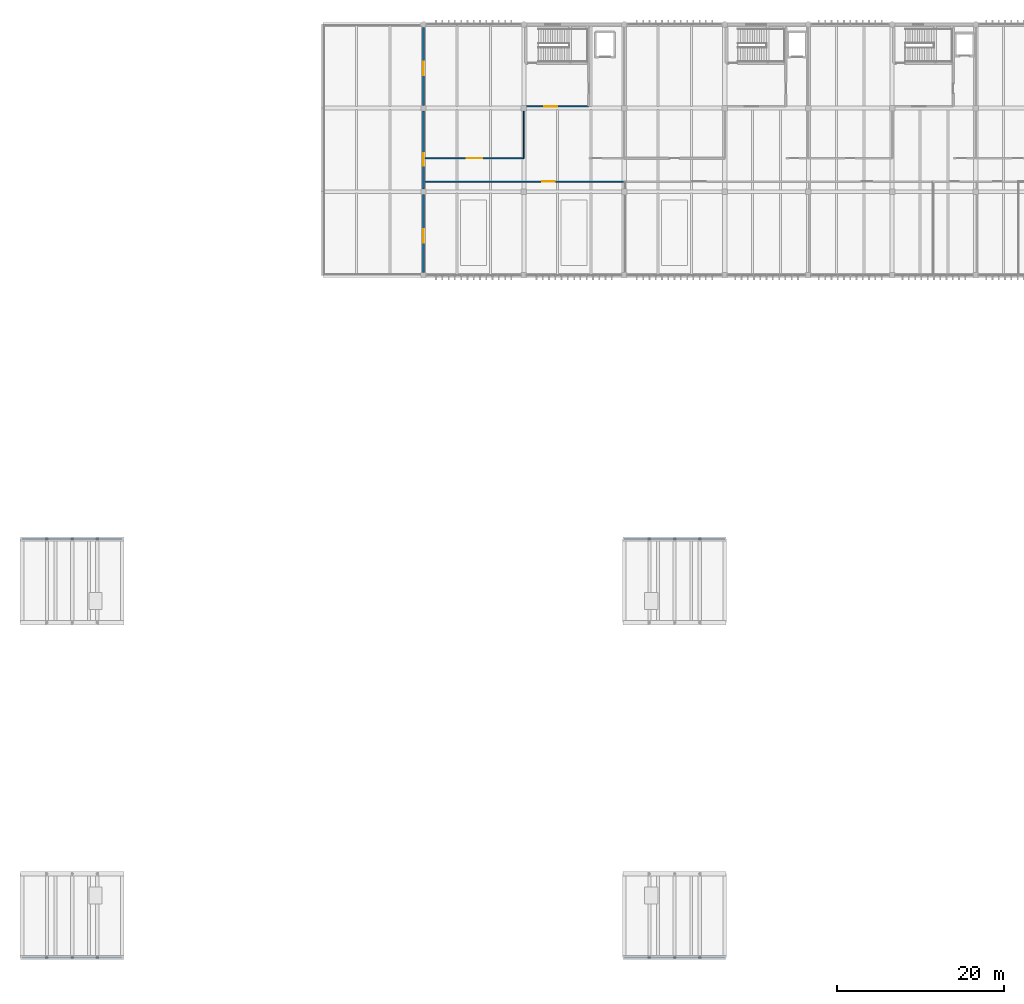
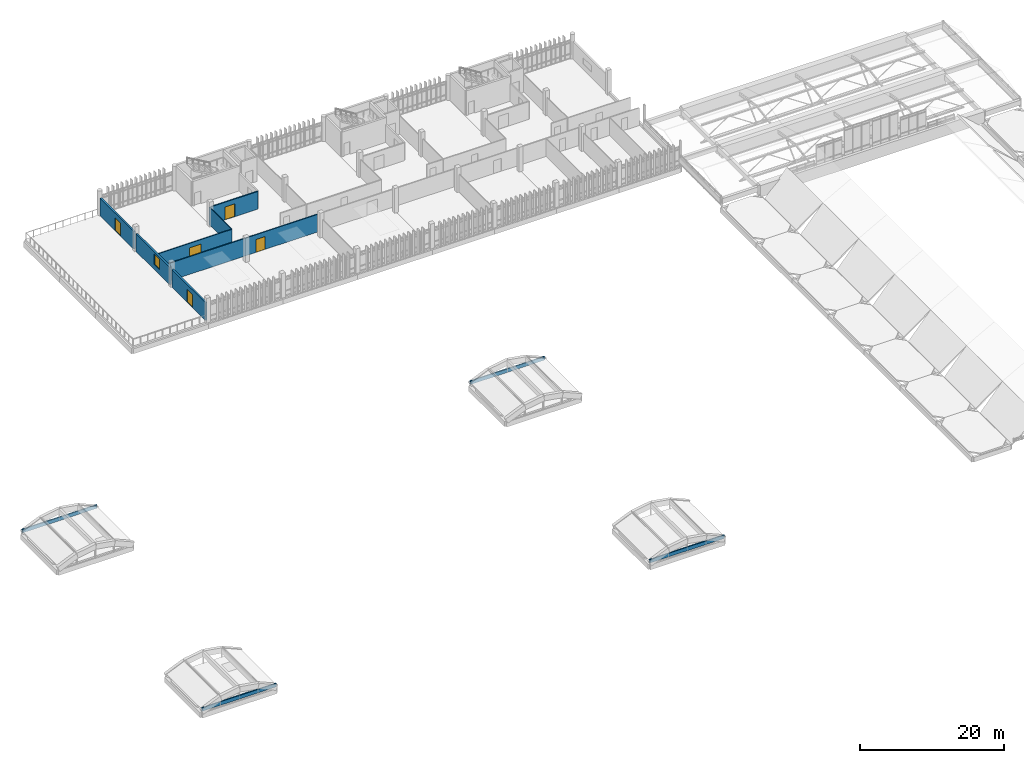
# One storey, part 77 of 82: 11 walls, 5 doors, 1 window, 6 openings.
"""IFC4 building model written with IfcOpenShell, lengths in metres."""

import ifcopenshell
import ifcopenshell.guid

model = None  # the IFC model being written
_history = None  # IfcOwnerHistory: only IFC2X3 demands one
_inside = {}  # id of a spatial element -> (the spatial element, [elements in it])
_under = {}  # id of a project, library or spatial element -> (it, [spatial elements below it])
_declared = {}  # id of a project -> (the project, [libraries it declares])
_typed = {}  # id of a type object -> (the type object, [elements of that type])
_made_of = {}  # id of a material, layer set ... -> (it, [elements and type objects made of it])


def new_model(schema):
    """Start an empty IFC model of exactly this schema.

    Asked for "IFC4X3", IfcOpenShell would pick the latest addendum, in which some entities
    have other attributes; the version numbers below select the first issue.
    IFC2X3 requires an IfcOwnerHistory on every rooted entity: one is made here for all.
    """
    global model, _history
    if schema == "IFC4X3":
        model = ifcopenshell.file(schema_version=(4, 3, 0, 0))
    else:
        model = ifcopenshell.file(schema=schema)
    _inside.clear()
    _under.clear()
    _declared.clear()
    _typed.clear()
    _made_of.clear()
    _history = None
    if model.schema == "IFC2X3":
        org = make("IfcOrganization", Name="unknown")
        user = make(
            "IfcPersonAndOrganization",
            ThePerson=make("IfcPerson", FamilyName="unknown"),
            TheOrganization=org,
        )
        app = make(
            "IfcApplication",
            ApplicationDeveloper=org,
            Version="unknown",
            ApplicationFullName="unknown",
            ApplicationIdentifier="unknown",
        )
        _history = make(
            "IfcOwnerHistory",
            OwningUser=user,
            OwningApplication=app,
            ChangeAction="ADDED",
            CreationDate=0,
        )
    return model


def make(cls, **values):
    """One entity of the class cls with the attributes given. An attribute that is None is left unset."""
    return model.create_entity(
        cls, **{name: value for name, value in values.items() if value is not None}
    )


def rooted(cls, **values):
    """An entity with a GlobalId (a new one), such as an element, a storey or a relation."""
    return make(cls, GlobalId=ifcopenshell.guid.new(), OwnerHistory=_history, **values)


def si_unit(unit_type, name, prefix=None):
    """IfcSIUnit, for example si_unit("LENGTHUNIT", "METRE", prefix="MILLI")."""
    return make("IfcSIUnit", UnitType=unit_type, Prefix=prefix, Name=name)


def assignment(units):
    """IfcUnitAssignment: the units of a project."""
    return None if units is None else make("IfcUnitAssignment", Units=units)


def point(xyz):
    """IfcCartesianPoint."""
    return None if xyz is None else make("IfcCartesianPoint", Coordinates=xyz)


def direction(xyz):
    """IfcDirection."""
    return None if xyz is None else make("IfcDirection", DirectionRatios=xyz)


def frame(location, z_axis=None, x_axis=None):
    """IfcAxis2Placement3D, a coordinate frame: its origin and axes. An axis left out is left unset."""
    return make(
        "IfcAxis2Placement3D",
        Location=point(location),
        Axis=direction(z_axis),
        RefDirection=direction(x_axis),
    )


def frame_2d(location, x_axis=None):
    """IfcAxis2Placement2D, a coordinate frame in the plane: its origin and x axis."""
    return make(
        "IfcAxis2Placement2D", Location=point(location), RefDirection=direction(x_axis)
    )


def origin():
    """The frame at (0, 0, 0) with its axes left unset."""
    return frame((0.0, 0.0, 0.0))


def place(relative_to, where):
    """IfcLocalPlacement: puts the frame where relative to a parent placement (None: the world)."""
    return make(
        "IfcLocalPlacement", PlacementRelTo=relative_to, RelativePlacement=where
    )


def context(
    kind, dimensions, precision=None, world=None, true_north=None, identifier=None
):
    """IfcGeometricRepresentationContext, for example the 3D "Model" context."""
    return make(
        "IfcGeometricRepresentationContext",
        ContextIdentifier=identifier,
        ContextType=kind,
        CoordinateSpaceDimension=dimensions,
        Precision=precision,
        WorldCoordinateSystem=world,
        TrueNorth=true_north,
    )


def subcontext(parent, identifier, kind, view, scale=None):
    """IfcGeometricRepresentationSubContext, for example "Body" below "Model"."""
    return make(
        "IfcGeometricRepresentationSubContext",
        ContextIdentifier=identifier,
        ContextType=kind,
        ParentContext=parent,
        TargetScale=scale,
        TargetView=view,
    )


def project(units=None, contexts=None):
    """IfcProject with its units and contexts."""
    return rooted(
        "IfcProject",
        Name="project",
        RepresentationContexts=contexts,
        UnitsInContext=assignment(units),
    )


def spatial(cls, under=None, at=None, **own):
    """A site, building, storey or space (cls), placed at a placement, below another one or the project."""
    s = rooted(cls, ObjectPlacement=at, **own)
    if under is not None:
        _under.setdefault(under.id(), (under, []))[1].append(s)
    return s


def profile(cls, at=None, kind="AREA", **sizes):
    """A parametric profile (cls). Its sizes go by their IFC names, for example OverallWidth=200.0."""
    return make(cls, ProfileType=kind, Position=at, **sizes)


def rectangle(**sizes):
    """IfcRectangleProfileDef."""
    return profile("IfcRectangleProfileDef", **sizes)


def extrude(swept, where, along, depth):
    """IfcExtrudedAreaSolid: the profile swept, set in the frame where, extruded along a direction by depth."""
    return make(
        "IfcExtrudedAreaSolid",
        SweptArea=swept,
        Position=where,
        ExtrudedDirection=direction(along),
        Depth=depth,
    )


def shape(context_of_items, identifier, shape_type, items):
    """IfcShapeRepresentation: the items that make up one representation, for example the "Body"."""
    return make(
        "IfcShapeRepresentation",
        ContextOfItems=context_of_items,
        RepresentationIdentifier=identifier,
        RepresentationType=shape_type,
        Items=items,
    )


def material(Name=None, Category=None):
    """IfcMaterial."""
    return make("IfcMaterial", Name=Name, Category=Category)


def layer(
    of_material, thickness, ventilated=None, Name=None, Category=None, Priority=None
):
    """IfcMaterialLayer: one layer of a wall or slab, of a material (None: an air gap)."""
    return make(
        "IfcMaterialLayer",
        Material=of_material,
        LayerThickness=thickness,
        IsVentilated=ventilated,
        Name=Name,
        Category=Category,
        Priority=Priority,
    )


def layer_set(layers, Name=None):
    """IfcMaterialLayerSet."""
    return make("IfcMaterialLayerSet", MaterialLayers=layers, LayerSetName=Name)


def made_of(thing, what):
    """Note that an element or type object is made of a material, layer set ...; save() writes the relation."""
    if what is not None:
        _made_of.setdefault(what.id(), (what, []))[1].append(thing)
    return thing


def type_object(cls, material=None, **own):
    """A type object (cls), such as IfcWallType, which elements share."""
    return made_of(rooted(cls, **own), material)


def element(
    cls,
    number,
    at=None,
    inside=None,
    cuts=None,
    type_object=None,
    material=None,
    context=None,
    identifier="Body",
    shape_type=None,
    held_by="IfcProductDefinitionShape",
    body=None,
    shapes=None,
    **own,
):
    """One element of the class cls, such as IfcWall. Its Tag is "e" and its number.

    at: its placement. inside: the storey or other place that contains it. cuts: it is an
    opening in that element (IfcRelVoidsElement). A single representation is given by context,
    identifier, shape_type and body (its items); several are given by shapes. held_by: the class
    of the entity that holds the representations. save() writes the other relations.
    """
    e = rooted(cls, Tag="e%d" % number, ObjectPlacement=at, **own)
    if body is not None:
        shapes = [shape(context, identifier, shape_type, body)]
    if shapes is not None:
        e.Representation = make(held_by, Representations=shapes)
    if inside is not None:
        _inside.setdefault(inside.id(), (inside, []))[1].append(e)
    if cuts is not None:
        rooted(
            "IfcRelVoidsElement", RelatingBuildingElement=cuts, RelatedOpeningElement=e
        )
    if type_object is not None:
        _typed.setdefault(type_object.id(), (type_object, []))[1].append(e)
    return made_of(e, material)


def fill(opening, filler):
    """IfcRelFillsElement: the door or window that sits in an opening."""
    return rooted(
        "IfcRelFillsElement",
        RelatingOpeningElement=opening,
        RelatedBuildingElement=filler,
    )


def aggregate(whole, parts):
    """IfcRelAggregates: a whole, such as a stair, and the parts it consists of."""
    return rooted("IfcRelAggregates", RelatingObject=whole, RelatedObjects=parts)


def save(model, path):
    """Write the relations noted so far, then the file.

    IfcRelAggregates (storeys below a building ...), IfcRelContainedInSpatialStructure (elements
    in a storey), IfcRelDefinesByType, IfcRelAssociatesMaterial and IfcRelDeclares: one each for
    every whole, place, type object, material and project.
    """
    for whole, parts in _under.values():
        aggregate(whole, parts)
    for where, things in _inside.values():
        rooted(
            "IfcRelContainedInSpatialStructure",
            RelatedElements=things,
            RelatingStructure=where,
        )
    for kind, things in _typed.values():
        rooted("IfcRelDefinesByType", RelatedObjects=things, RelatingType=kind)
    for what, things in _made_of.values():
        rooted("IfcRelAssociatesMaterial", RelatedObjects=things, RelatingMaterial=what)
    for by, libraries in _declared.values():
        rooted("IfcRelDeclares", RelatingContext=by, RelatedDefinitions=libraries)
    model.write(path)


model = new_model("IFC4")

# Units and contexts
model_context = context("Model", 3, precision=1e-05, world=origin(), true_north=direction((0.0, 1.0)))
body_context = subcontext(model_context, "Body", "Model", "MODEL_VIEW")
ifc_project = project(units=[si_unit("LENGTHUNIT", "METRE"), si_unit("AREAUNIT", "SQUARE_METRE"), si_unit("VOLUMEUNIT", "CUBIC_METRE"), si_unit("PLANEANGLEUNIT", "RADIAN"), si_unit("MASSUNIT", "GRAM", prefix="KILO")], contexts=[model_context])

# Site, building, storey
site_placement = place(None, origin())
site = spatial("IfcSite", under=ifc_project, at=site_placement, CompositionType="ELEMENT")
building_placement = place(site_placement, origin())
building = spatial("IfcBuilding", under=site, at=building_placement, Name="Mersad Railyard Sports Hall", CompositionType="ELEMENT")
storey_placement = place(building_placement, frame((0.0, 0.0, 13.199951171875)))
storey = spatial("IfcBuildingStorey", under=building, at=storey_placement, Name="L03", CompositionType="ELEMENT", Elevation=13.199951171875)

# Wall, opening, door
ifc_material_1 = material(Name="Precast concrete C45/55", Category="concrete")
ifc_layer_1 = layer(ifc_material_1, 0.280029296875)
ifc_layer_set_1 = layer_set([ifc_layer_1], Name="Precast concrete C45/55")
wall_type_1 = type_object("IfcWallType", Name="ARC-WL-EW03", PredefinedType="SOLIDWALL", material=ifc_layer_set_1)
wall_1_placement = place(storey_placement, frame((55.0, 85.324951171875, 0.0), z_axis=(0.0, 0.0, 1.0), x_axis=(0.0, 1.0, 0.0)))
wall_1 = element("IfcWall", 1, at=wall_1_placement, inside=storey, type_object=wall_type_1, Name="External wall EW03-0132", PredefinedType="SOLIDWALL", context=body_context, shape_type="SweptSolid", body=[
    extrude(rectangle(XDim=9.35009765625, YDim=0.280029296875, at=frame_2d((4.675048828125, 0.0))), origin(), (0.0, 0.0, 1.0), 3.005126953125),
])
opening_1_placement = place(wall_1_placement, frame((3.60009765625, 0.0, 0.0)))
opening_1 = element("IfcOpeningElement", 2, at=opening_1_placement, cuts=wall_1, Name="Opening TD02", PredefinedType="OPENING", context=body_context, shape_type="SweptSolid", body=[
    extrude(rectangle(XDim=1.60009765625, YDim=2.199951171875, at=frame_2d((0.800048828125, 1.10009765625))), frame((0.0, 0.14990234375, 0.0), z_axis=(0.0, -1.0, 0.0), x_axis=(1.0, 0.0, 0.0)), (0.0, 0.0, 1.0), 0.300048828125),
])
ifc_material_2 = material(Name="Aluminium 6063-T6", Category="aluminium")
door_type_1 = type_object("IfcDoorType", Name="ARC-DR-TD02", OperationType="NOTDEFINED", PredefinedType="DOOR", material=ifc_material_2)
door_1_placement = place(opening_1_placement, origin())
door_1 = element("IfcDoor", 3, at=door_1_placement, inside=storey, type_object=door_type_1, Name="L03 west terrace door TD02-042", OperationType="DOUBLE_DOOR_SINGLE_SWING", OverallHeight=2.199951171875, OverallWidth=1.60009765625, PredefinedType="DOOR", context=body_context, shape_type="SweptSolid", body=[
    extrude(rectangle(XDim=1.60009765625, YDim=2.199951171875, at=frame_2d((0.800048828125, 1.10009765625))), frame((0.0, 0.02490234375, 0.0), z_axis=(0.0, -1.0, 0.0), x_axis=(1.0, 0.0, 0.0)), (0.0, 0.0, 1.0), 0.050048828125),
])
fill(opening_1, door_1)

# Wall, opening, window
wall_2_placement = place(storey_placement, frame((55.0, 95.324951171875, 0.0), z_axis=(0.0, 0.0, 1.0), x_axis=(0.0, 1.0, 0.0)))
wall_2 = element("IfcWall", 4, at=wall_2_placement, inside=storey, type_object=wall_type_1, Name="External wall EW03-0133", PredefinedType="SOLIDWALL", context=body_context, shape_type="SweptSolid", body=[
    extrude(rectangle(XDim=9.35009765625, YDim=0.280029296875, at=frame_2d((4.675048828125, 0.0))), origin(), (0.0, 0.0, 1.0), 3.005126953125),
])
opening_2_placement = place(wall_2_placement, frame((2.800048828125, 0.0, 0.89990234375)))
opening_2 = element("IfcOpeningElement", 5, at=opening_2_placement, cuts=wall_2, Name="Opening W10", PredefinedType="OPENING", context=body_context, shape_type="SweptSolid", body=[
    extrude(rectangle(XDim=1.5, YDim=1.800048828125, at=frame_2d((0.75, 0.89990234375))), frame((0.0, 0.14990234375, 0.0), z_axis=(0.0, -1.0, 0.0), x_axis=(1.0, 0.0, 0.0)), (0.0, 0.0, 1.0), 0.300048828125),
])
ifc_material_3 = material(Name="Solar-control glass", Category="glass")
window_type = type_object("IfcWindowType", Name="ARC-WN-W10", PartitioningType="SINGLE_PANEL", PredefinedType="WINDOW", material=ifc_material_3)
window_placement = place(opening_2_placement, origin())
window = element("IfcWindow", 6, at=window_placement, inside=storey, type_object=window_type, Name="Window W10-0047", OverallHeight=1.800048828125, OverallWidth=1.5, PartitioningType="SINGLE_PANEL", PredefinedType="WINDOW", context=body_context, shape_type="SweptSolid", body=[
    extrude(rectangle(XDim=1.5, YDim=1.800048828125, at=frame_2d((0.75, 0.89990234375))), frame((0.0, 0.030029296875, 0.0), z_axis=(0.0, -1.0, 0.0), x_axis=(1.0, 0.0, 0.0)), (0.0, 0.0, 1.0), 0.06005859375),
])
fill(opening_2, window)

# Wall, opening, door
wall_3_placement = place(storey_placement, frame((55.0, 105.324951171875, 0.0), z_axis=(0.0, 0.0, 1.0), x_axis=(0.0, 1.0, 0.0)))
wall_3 = element("IfcWall", 7, at=wall_3_placement, inside=storey, type_object=wall_type_1, Name="External wall EW03-0134", PredefinedType="SOLIDWALL", context=body_context, shape_type="SweptSolid", body=[
    extrude(rectangle(XDim=9.324951171875, YDim=0.280029296875, at=frame_2d((4.66259765625, 0.0))), origin(), (0.0, 0.0, 1.0), 3.005126953125),
])
opening_3_placement = place(wall_3_placement, frame((3.60009765625, 0.0, 0.0)))
opening_3 = element("IfcOpeningElement", 8, at=opening_3_placement, cuts=wall_3, Name="Opening TD02", PredefinedType="OPENING", context=body_context, shape_type="SweptSolid", body=[
    extrude(rectangle(XDim=1.60009765625, YDim=2.199951171875, at=frame_2d((0.800048828125, 1.10009765625))), frame((0.0, 0.14990234375, 0.0), z_axis=(0.0, -1.0, 0.0), x_axis=(1.0, 0.0, 0.0)), (0.0, 0.0, 1.0), 0.300048828125),
])
door_2_placement = place(opening_3_placement, origin())
door_2 = element("IfcDoor", 9, at=door_2_placement, inside=storey, type_object=door_type_1, Name="L03 west terrace door TD02-043", OperationType="DOUBLE_DOOR_SINGLE_SWING", OverallHeight=2.199951171875, OverallWidth=1.60009765625, PredefinedType="DOOR", context=body_context, shape_type="SweptSolid", body=[
    extrude(rectangle(XDim=1.60009765625, YDim=2.199951171875, at=frame_2d((0.800048828125, 1.10009765625))), frame((0.0, 0.02490234375, 0.0), z_axis=(0.0, -1.0, 0.0), x_axis=(1.0, 0.0, 0.0)), (0.0, 0.0, 1.0), 0.050048828125),
])
fill(opening_3, door_2)

# Walls
ifc_layer_2 = layer(ifc_material_1, 0.179931640625)
ifc_layer_set_2 = layer_set([ifc_layer_2], Name="Precast concrete C45/55")
wall_type_2 = type_object("IfcWallType", Name="ARC-WL-PP02", PredefinedType="PARAPET", material=ifc_layer_set_2)
for number, where, z_axis, x_axis, name in (
    (10, (7.0, 3.5, 0.0), (0.0, 0.0, 1.0), (1.0, 0.0, 0.0), "External wall PP02-0158"),
    (11, (79.0, 3.5, 0.0), (0.0, 0.0, 1.0), (1.0, 0.0, 0.0), "External wall PP02-0159"),
    (12, (7.0, 53.5, 0.0), (0.0, 0.0, 1.0), (1.0, 0.0, 0.0), "External wall PP02-0160"),
    (13, (79.0, 53.5, 0.0), (0.0, 0.0, 1.0), (1.0, 0.0, 0.0), "External wall PP02-0161"),
):
    element("IfcWall", number, at=place(storey_placement, frame(where, z_axis=z_axis, x_axis=x_axis)), inside=storey, type_object=wall_type_2, Name=name, PredefinedType="PARAPET", context=body_context, shape_type="SweptSolid", body=[
        extrude(rectangle(XDim=12.0, YDim=0.179931640625, at=frame_2d((6.0, 0.0))), origin(), (0.0, 0.0, 1.0), 0.60009765625),
    ])

# Wall, opening, door
ifc_layer_3 = layer(ifc_material_1, 0.199951171875)
ifc_layer_set_3 = layer_set([ifc_layer_3], Name="Precast concrete C45/55")
wall_type_3 = type_object("IfcWallType", Name="ARC-WL-PT01", PredefinedType="PARTITIONING", material=ifc_layer_set_3)
wall_4_placement = place(storey_placement, frame((67.199951171875, 105.199951171875, 0.0), z_axis=(0.0, 0.0, 1.0), x_axis=(1.0, 0.0, 0.0)))
wall_4 = element("IfcWall", 14, at=wall_4_placement, inside=storey, type_object=wall_type_3, Name="Interior wall PT01-0178", PredefinedType="PARTITIONING", context=body_context, shape_type="SweptSolid", body=[
    extrude(rectangle(XDim=7.550048828125, YDim=0.199951171875, at=frame_2d((3.77490234375, 0.0))), origin(), (0.0, 0.0, 1.0), 3.005126953125),
])
opening_4_placement = place(wall_4_placement, frame((2.199951171875, 0.0, 0.0)))
opening_4 = element("IfcOpeningElement", 15, at=opening_4_placement, cuts=wall_4, Name="Opening FD04", PredefinedType="OPENING", context=body_context, shape_type="SweptSolid", body=[
    extrude(rectangle(XDim=1.60009765625, YDim=2.199951171875, at=frame_2d((0.800048828125, 1.10009765625))), frame((0.0, 0.10986328125, 0.0), z_axis=(0.0, -1.0, 0.0), x_axis=(1.0, 0.0, 0.0)), (0.0, 0.0, 1.0), 0.219970703125),
])
ifc_material_4 = material(Name="Steel S355", Category="steel")
door_type_2 = type_object("IfcDoorType", Name="ARC-DR-FD04", OperationType="NOTDEFINED", PredefinedType="DOOR", material=ifc_material_4)
door_3_placement = place(opening_4_placement, origin())
door_3 = element("IfcDoor", 16, at=door_3_placement, inside=storey, type_object=door_type_2, Name="C1 firefighting lobby door FD04-0058", OperationType="DOUBLE_DOOR_SINGLE_SWING", OverallHeight=2.199951171875, OverallWidth=1.60009765625, PredefinedType="DOOR", context=body_context, shape_type="SweptSolid", body=[
    extrude(rectangle(XDim=1.60009765625, YDim=2.199951171875, at=frame_2d((0.800048828125, 1.10009765625))), frame((0.0, 0.02490234375, 0.0), z_axis=(0.0, -1.0, 0.0), x_axis=(1.0, 0.0, 0.0)), (0.0, 0.0, 1.0), 0.050048828125),
])
fill(opening_4, door_3)

ifc_material_5 = material(Name="Gypsum plasterboard", Category="gypsum")
ifc_layer_4 = layer(ifc_material_5, 0.159912109375)
ifc_layer_set_4 = layer_set([ifc_layer_4], Name="Gypsum plasterboard")
wall_type_4 = type_object("IfcWallType", Name="ARC-WL-PT02", PredefinedType="PARTITIONING", material=ifc_layer_set_4)
wall_5_placement = place(storey_placement, frame((55.179931640625, 96.199951171875, 0.0), z_axis=(0.0, 0.0, 1.0), x_axis=(1.0, 0.0, 0.0)))
wall_5 = element("IfcWall", 17, at=wall_5_placement, inside=storey, type_object=wall_type_4, Name="Interior wall PT02-0477", PredefinedType="PARTITIONING", context=body_context, shape_type="SweptSolid", body=[
    extrude(rectangle(XDim=23.920166015625, YDim=0.159912109375, at=frame_2d((11.9599609375, 0.0))), origin(), (0.0, 0.0, 1.0), 3.005126953125),
])
opening_5_placement = place(wall_5_placement, frame((14.010009765625, 0.0, 0.0)))
opening_5 = element("IfcOpeningElement", 18, at=opening_5_placement, cuts=wall_5, Name="Opening FD10", PredefinedType="OPENING", context=body_context, shape_type="SweptSolid", body=[
    extrude(rectangle(XDim=1.5, YDim=2.199951171875, at=frame_2d((0.75, 1.10009765625))), frame((0.0, 0.08984375, 0.0), z_axis=(0.0, -1.0, 0.0), x_axis=(1.0, 0.0, 0.0)), (0.0, 0.0, 1.0), 0.179931640625),
])
door_type_3 = type_object("IfcDoorType", Name="ARC-DR-FD10", OperationType="NOTDEFINED", PredefinedType="DOOR", material=ifc_material_4)
door_4_placement = place(opening_5_placement, origin())
door_4 = element("IfcDoor", 19, at=door_4_placement, inside=storey, type_object=door_type_3, Name="L03 south room door FD10-0214", OperationType="DOUBLE_DOOR_SINGLE_SWING", OverallHeight=2.199951171875, OverallWidth=1.5, PredefinedType="DOOR", context=body_context, shape_type="SweptSolid", body=[
    extrude(rectangle(XDim=1.5, YDim=2.199951171875, at=frame_2d((0.75, 1.10009765625))), frame((0.0, 0.02490234375, 0.0), z_axis=(0.0, -1.0, 0.0), x_axis=(1.0, 0.0, 0.0)), (0.0, 0.0, 1.0), 0.050048828125),
])
fill(opening_5, door_4)

ifc_layer_5 = layer(ifc_material_5, 0.139892578125)
ifc_layer_set_5 = layer_set([ifc_layer_5], Name="Gypsum plasterboard")
wall_type_5 = type_object("IfcWallType", Name="ARC-WL-PT03", PredefinedType="PARTITIONING", material=ifc_layer_set_5)
wall_6_placement = place(storey_placement, frame((55.179931640625, 99.0, 0.0), z_axis=(0.0, 0.0, 1.0), x_axis=(1.0, 0.0, 0.0)))
wall_6 = element("IfcWall", 20, at=wall_6_placement, inside=storey, type_object=wall_type_5, Name="Interior wall PT03-0488", PredefinedType="PARTITIONING", context=body_context, shape_type="SweptSolid", body=[
    extrude(rectangle(XDim=11.820068359375, YDim=0.139892578125, at=frame_2d((5.91015625, 0.0))), origin(), (0.0, 0.0, 1.0), 3.005126953125),
])
opening_6_placement = place(wall_6_placement, frame((5.010009765625, 0.0, 0.0)))
opening_6 = element("IfcOpeningElement", 21, at=opening_6_placement, cuts=wall_6, Name="Opening FD05", PredefinedType="OPENING", context=body_context, shape_type="SweptSolid", body=[
    extrude(rectangle(XDim=1.800048828125, YDim=2.25, at=frame_2d((0.89990234375, 1.125))), frame((0.0, 0.079833984375, 0.0), z_axis=(0.0, -1.0, 0.0), x_axis=(1.0, 0.0, 0.0)), (0.0, 0.0, 1.0), 0.159912109375),
])
door_type_4 = type_object("IfcDoorType", Name="ARC-DR-FD05", OperationType="NOTDEFINED", PredefinedType="DOOR", material=ifc_material_4)
door_5_placement = place(opening_6_placement, origin())
door_5 = element("IfcDoor", 22, at=door_5_placement, inside=storey, type_object=door_type_4, Name="L03 north room door FD05-0220", OperationType="DOUBLE_DOOR_SINGLE_SWING", OverallHeight=2.25, OverallWidth=1.800048828125, PredefinedType="DOOR", context=body_context, shape_type="SweptSolid", body=[
    extrude(rectangle(XDim=1.800048828125, YDim=2.25, at=frame_2d((0.89990234375, 1.125))), frame((0.0, 0.02490234375, 0.0), z_axis=(0.0, -1.0, 0.0), x_axis=(1.0, 0.0, 0.0)), (0.0, 0.0, 1.0), 0.050048828125),
])
fill(opening_6, door_5)

# Wall
ifc_layer_6 = layer(ifc_material_5, 0.1201171875)
ifc_layer_set_6 = layer_set([ifc_layer_6], Name="Gypsum plasterboard")
wall_type_6 = type_object("IfcWallType", Name="ARC-WL-PT04", PredefinedType="PARTITIONING", material=ifc_layer_set_6)
wall_7_placement = place(storey_placement, frame((67.0, 99.0, 0.0), z_axis=(0.0, 0.0, 1.0), x_axis=(0.0, 1.0, 0.0)))
element("IfcWall", 23, at=wall_7_placement, inside=storey, type_object=wall_type_6, Name="Interior wall PT04-0489", PredefinedType="PARTITIONING", context=body_context, shape_type="SweptSolid", body=[
    extrude(rectangle(XDim=6.199951171875, YDim=0.1201171875, at=frame_2d((3.10009765625, 0.0))), origin(), (0.0, 0.0, 1.0), 3.005126953125),
])

save(model, "model.ifc")
